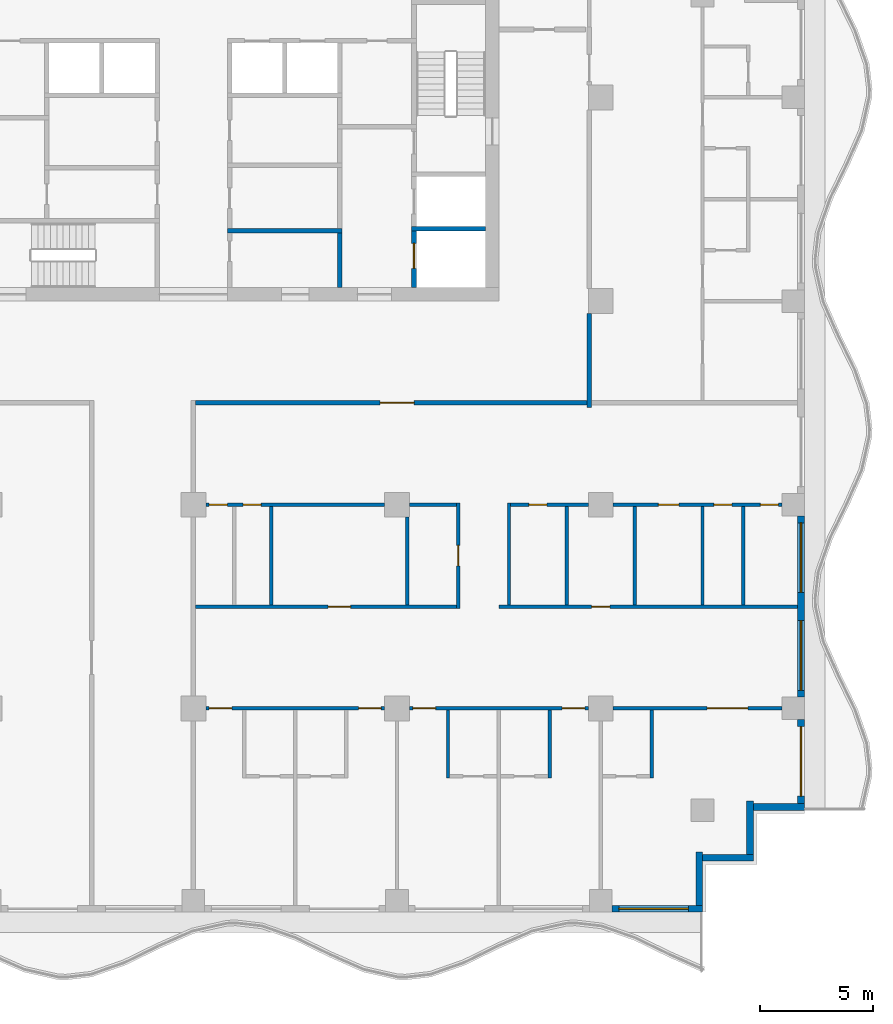
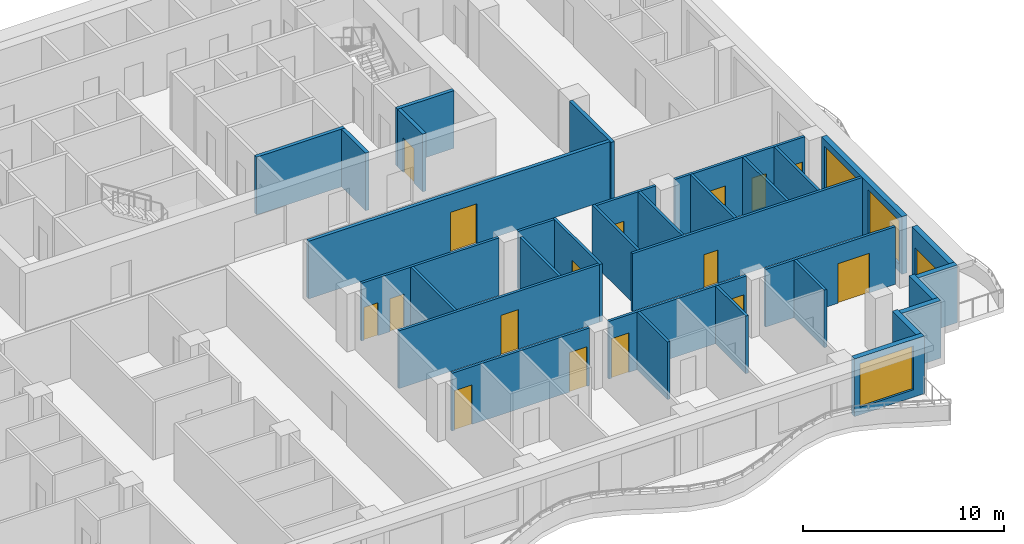
# One storey, part 4 of 12: 33 walls, 17 doors, 3 windows, 20 openings.
"""IFC4 building model written with IfcOpenShell, lengths in metres."""

from ifc_helpers import new_model, si_unit, direction, frame, frame_2d, origin, place, context, subcontext, project, spatial, rectangle, extrude, material, layer, layer_set, type_object, element, fill, save


model = new_model("IFC4")

# Units and contexts
model_context = context("Model", 3, precision=1e-05, world=origin(), true_north=direction((0.0, 1.0)))
body_context = subcontext(model_context, "Body", "Model", "MODEL_VIEW")
ifc_project = project(units=[si_unit("LENGTHUNIT", "METRE"), si_unit("AREAUNIT", "SQUARE_METRE"), si_unit("VOLUMEUNIT", "CUBIC_METRE"), si_unit("PLANEANGLEUNIT", "RADIAN"), si_unit("MASSUNIT", "GRAM", prefix="KILO")], contexts=[model_context])

# Site, building, storey
site_placement = place(None, origin())
site = spatial("IfcSite", under=ifc_project, at=site_placement, CompositionType="ELEMENT")
building_placement = place(site_placement, origin())
building = spatial("IfcBuilding", under=site, at=building_placement, Name="Orbiselva Terraces", CompositionType="ELEMENT")
storey_placement = place(building_placement, frame((0.0, 0.0, 214.8)))
storey = spatial("IfcBuildingStorey", under=building, at=storey_placement, Name="L54", CompositionType="ELEMENT", Elevation=214.8)

# Walls
ifc_material_1 = material(Name="Concrete C60/75", Category="concrete")
ifc_layer_1 = layer(ifc_material_1, 0.2)
ifc_layer_set_1 = layer_set([ifc_layer_1], Name="Concrete C60/75")
wall_type_1 = type_object("IfcWallType", Name="CORE-WALL-SHEAR-200", PredefinedType="SHEAR", material=ifc_layer_set_1)
wall_1_placement = place(storey_placement, frame((1.5, 7.6, 0.0), z_axis=(0.0, 0.0, 1.0), x_axis=(1.0, 0.0, 0.0)))
element("IfcWall", 1, at=wall_1_placement, inside=storey, type_object=wall_type_1, Name="L54 core wall 28", PredefinedType="SHEAR", context=body_context, shape_type="SweptSolid", body=[
    extrude(rectangle(XDim=5.075, YDim=0.2, at=frame_2d((2.5375, 0.0))), origin(), (0.0, 0.0, 1.0), 3.5),
])
wall_2_placement = place(storey_placement, frame((6.475, 5.1, 0.0), z_axis=(0.0, 0.0, 1.0), x_axis=(0.0, 1.0, 0.0)))
element("IfcWall", 2, at=wall_2_placement, inside=storey, type_object=wall_type_1, Name="L54 core wall 38", PredefinedType="SHEAR", context=body_context, shape_type="SweptSolid", body=[
    extrude(rectangle(XDim=2.4, YDim=0.2, at=frame_2d((1.2, 0.0))), origin(), (0.0, 0.0, 1.0), 3.5),
])

# Wall, opening, door
wall_3_placement = place(storey_placement, frame((9.75, 5.1, 0.0), z_axis=(0.0, 0.0, 1.0), x_axis=(0.0, 1.0, 0.0)))
wall_3 = element("IfcWall", 3, at=wall_3_placement, inside=storey, type_object=wall_type_1, Name="L54 core wall 45", PredefinedType="SHEAR", context=body_context, shape_type="SweptSolid", body=[
    extrude(rectangle(XDim=2.5, YDim=0.2, at=frame_2d((1.25, 0.0))), origin(), (0.0, 0.0, 1.0), 3.5),
])
opening_1_placement = place(wall_3_placement, frame((0.85, 0.0, 0.0)))
opening_1 = element("IfcOpeningElement", 4, at=opening_1_placement, cuts=wall_3, Name="Opening LD-FF1", PredefinedType="OPENING", context=body_context, shape_type="SweptSolid", body=[
    extrude(rectangle(XDim=1.1, YDim=2.1, at=frame_2d((0.55, 1.05))), frame((0.0, 0.11, 0.0), z_axis=(0.0, -1.0, 0.0), x_axis=(1.0, 0.0, 0.0)), (0.0, 0.0, 1.0), 0.22),
])
ifc_material_2 = material(Name="Stainless steel landing door", Category="steel")
door_type_1 = type_object("IfcDoorType", Name="LANDING DOOR 1100", OperationType="SLIDING_TO_LEFT", PredefinedType="DOOR", material=ifc_material_2)
door_1_placement = place(opening_1_placement, origin())
door_1 = element("IfcDoor", 5, at=door_1_placement, inside=storey, type_object=door_type_1, Name="L54 landing door FF1", OperationType="SLIDING_TO_RIGHT", OverallHeight=2.1, OverallWidth=1.1, PredefinedType="DOOR", context=body_context, shape_type="SweptSolid", body=[
    extrude(rectangle(XDim=1.1, YDim=2.1, at=frame_2d((0.55, 1.05))), frame((0.0, 0.025, 0.0), z_axis=(0.0, -1.0, 0.0), x_axis=(1.0, 0.0, 0.0)), (0.0, 0.0, 1.0), 0.05),
])
fill(opening_1, door_1)

# Wall
wall_4_placement = place(storey_placement, frame((9.65, 7.7, 0.0), z_axis=(0.0, 0.0, 1.0), x_axis=(1.0, 0.0, 0.0)))
element("IfcWall", 6, at=wall_4_placement, inside=storey, type_object=wall_type_1, Name="L54 core wall 46", PredefinedType="SHEAR", context=body_context, shape_type="SweptSolid", body=[
    extrude(rectangle(XDim=3.25, YDim=0.2, at=frame_2d((1.625, 0.0))), origin(), (0.0, 0.0, 1.0), 3.5),
])

# Wall, opening, window
ifc_material_3 = material(Name="Terracotta cladding on masonry backing", Category="masonry")
ifc_layer_2 = layer(ifc_material_3, 0.3)
ifc_layer_set_2 = layer_set([ifc_layer_2], Name="Terracotta cladding on masonry backing")
wall_type_2 = type_object("IfcWallType", Name="ENV-WALL-TERRACOTTA-300", PredefinedType="SOLIDWALL", material=ifc_layer_set_2)
wall_5_placement = place(storey_placement, frame((22.5, -22.35, 0.0), z_axis=(0.0, 0.0, 1.0), x_axis=(-1.0, 0.0, 0.0)))
wall_5 = element("IfcWall", 7, at=wall_5_placement, inside=storey, type_object=wall_type_2, Name="Facade wall L54 S", PredefinedType="SOLIDWALL", context=body_context, shape_type="SweptSolid", body=[
    extrude(rectangle(XDim=4.0, YDim=0.3, at=frame_2d((2.0, 0.0))), origin(), (0.0, 0.0, 1.0), 3.5),
])
opening_2_placement = place(wall_5_placement, frame((0.625, 0.0, 0.45)))
opening_2 = element("IfcOpeningElement", 8, at=opening_2_placement, cuts=wall_5, Name="Opening WN15", PredefinedType="OPENING", context=body_context, shape_type="SweptSolid", body=[
    extrude(rectangle(XDim=3.075, YDim=2.65, at=frame_2d((1.5375, 1.325))), frame((0.0, 0.16, 0.0), z_axis=(0.0, -1.0, 0.0), x_axis=(1.0, 0.0, 0.0)), (0.0, 0.0, 1.0), 0.32),
])
ifc_material_4 = material(Name="Clear low-e glazing in aluminium frame", Category="aluminium")
window_type = type_object("IfcWindowType", Name="WINDOW 3075 X 2650 S450", PartitioningType="TRIPLE_PANEL_VERTICAL", PredefinedType="WINDOW", material=ifc_material_4)
window_1_placement = place(opening_2_placement, origin())
window_1 = element("IfcWindow", 9, at=window_1_placement, inside=storey, type_object=window_type, Name="Window L54 S", OverallHeight=2.65, OverallWidth=3.075, PartitioningType="SINGLE_PANEL", PredefinedType="WINDOW", context=body_context, shape_type="SweptSolid", body=[
    extrude(rectangle(XDim=3.075, YDim=2.65, at=frame_2d((1.5375, 1.325))), frame((0.0, 0.03, 0.0), z_axis=(0.0, -1.0, 0.0), x_axis=(1.0, 0.0, 0.0)), (0.0, 0.0, 1.0), 0.06),
])
fill(opening_2, window_1)

# Walls
wall_6_placement = place(storey_placement, frame((22.35, -19.85, 0.0), z_axis=(0.0, 0.0, 1.0), x_axis=(0.0, -1.0, 0.0)))
element("IfcWall", 10, at=wall_6_placement, inside=storey, type_object=wall_type_2, Name="Facade wall L54 STEP", PredefinedType="SOLIDWALL", context=body_context, shape_type="SweptSolid", body=[
    extrude(rectangle(XDim=2.35, YDim=0.3, at=frame_2d((1.175, 0.0))), origin(), (0.0, 0.0, 1.0), 3.5),
])
wall_7_placement = place(storey_placement, frame((24.75, -20.1, 0.0), z_axis=(0.0, 0.0, 1.0), x_axis=(-1.0, 0.0, 0.0)))
element("IfcWall", 11, at=wall_7_placement, inside=storey, type_object=wall_type_2, Name="Facade wall L54 STEP", PredefinedType="SOLIDWALL", context=body_context, shape_type="SweptSolid", body=[
    extrude(rectangle(XDim=2.25, YDim=0.3, at=frame_2d((1.125, 0.0))), origin(), (0.0, 0.0, 1.0), 3.5),
])
wall_8_placement = place(storey_placement, frame((24.6, -17.6, 0.0), z_axis=(0.0, 0.0, 1.0), x_axis=(0.0, -1.0, 0.0)))
element("IfcWall", 12, at=wall_8_placement, inside=storey, type_object=wall_type_2, Name="Facade wall L54 STEP", PredefinedType="SOLIDWALL", context=body_context, shape_type="SweptSolid", body=[
    extrude(rectangle(XDim=2.35, YDim=0.3, at=frame_2d((1.175, 0.0))), origin(), (0.0, 0.0, 1.0), 3.5),
])
wall_9_placement = place(storey_placement, frame((27.0, -17.85, 0.0), z_axis=(0.0, 0.0, 1.0), x_axis=(-1.0, 0.0, 0.0)))
element("IfcWall", 13, at=wall_9_placement, inside=storey, type_object=wall_type_2, Name="Facade wall L54 STEP", PredefinedType="SOLIDWALL", context=body_context, shape_type="SweptSolid", body=[
    extrude(rectangle(XDim=2.25, YDim=0.3, at=frame_2d((1.125, 0.0))), origin(), (0.0, 0.0, 1.0), 3.5),
])

# Wall, opening, door
wall_10_placement = place(storey_placement, frame((26.85, -14.0, 0.0), z_axis=(0.0, 0.0, 1.0), x_axis=(0.0, -1.0, 0.0)))
wall_10 = element("IfcWall", 14, at=wall_10_placement, inside=storey, type_object=wall_type_2, Name="Facade wall L54 E", PredefinedType="SOLIDWALL", context=body_context, shape_type="SweptSolid", body=[
    extrude(rectangle(XDim=3.7, YDim=0.3, at=frame_2d((1.85, 0.0))), origin(), (0.0, 0.0, 1.0), 3.5),
])
opening_3_placement = place(wall_10_placement, frame((0.3, 0.0, 0.0)))
opening_3 = element("IfcOpeningElement", 15, at=opening_3_placement, cuts=wall_10, Name="Opening Z4-C-E14", PredefinedType="OPENING", context=body_context, shape_type="SweptSolid", body=[
    extrude(rectangle(XDim=3.075, YDim=2.4, at=frame_2d((1.5375, 1.2))), frame((0.0, 0.16, 0.0), z_axis=(0.0, -1.0, 0.0), x_axis=(1.0, 0.0, 0.0)), (0.0, 0.0, 1.0), 0.32),
])
door_type_2 = type_object("IfcDoorType", Name="BALCONY DOOR 3075 X 2400", OperationType="DOUBLE_DOOR_SLIDING", PredefinedType="DOOR", material=ifc_material_4)
door_2_placement = place(opening_3_placement, origin())
door_2 = element("IfcDoor", 16, at=door_2_placement, inside=storey, type_object=door_type_2, Name="Z4-C-E14", OperationType="SINGLE_SWING_LEFT", OverallHeight=2.4, OverallWidth=3.075, PredefinedType="DOOR", context=body_context, shape_type="SweptSolid", body=[
    extrude(rectangle(XDim=3.075, YDim=2.4, at=frame_2d((1.5375, 1.2))), frame((0.0, 0.025, 0.0), z_axis=(0.0, -1.0, 0.0), x_axis=(1.0, 0.0, 0.0)), (0.0, 0.0, 1.0), 0.05),
])
fill(opening_3, door_2)

# Wall, openings, windows
wall_11_placement = place(storey_placement, frame((26.85, -5.0, 0.0), z_axis=(0.0, 0.0, 1.0), x_axis=(0.0, -1.0, 0.0)))
wall_11 = element("IfcWall", 17, at=wall_11_placement, inside=storey, type_object=wall_type_2, Name="Facade wall L54 E", PredefinedType="SOLIDWALL", context=body_context, shape_type="SweptSolid", body=[
    extrude(rectangle(XDim=8.0, YDim=0.3, at=frame_2d((4.0, 0.0))), origin(), (0.0, 0.0, 1.0), 3.5),
])
opening_4_placement = place(wall_11_placement, frame((4.625, 0.0, 0.45)))
opening_4 = element("IfcOpeningElement", 18, at=opening_4_placement, cuts=wall_11, Name="Opening WN15", PredefinedType="OPENING", context=body_context, shape_type="SweptSolid", body=[
    extrude(rectangle(XDim=3.075, YDim=2.65, at=frame_2d((1.5375, 1.325))), frame((0.0, 0.16, 0.0), z_axis=(0.0, -1.0, 0.0), x_axis=(1.0, 0.0, 0.0)), (0.0, 0.0, 1.0), 0.32),
])
opening_5_placement = place(wall_11_placement, frame((0.3, 0.0, 0.45)))
opening_5 = element("IfcOpeningElement", 19, at=opening_5_placement, cuts=wall_11, Name="Opening WN15", PredefinedType="OPENING", context=body_context, shape_type="SweptSolid", body=[
    extrude(rectangle(XDim=3.075, YDim=2.65, at=frame_2d((1.5375, 1.325))), frame((0.0, 0.16, 0.0), z_axis=(0.0, -1.0, 0.0), x_axis=(1.0, 0.0, 0.0)), (0.0, 0.0, 1.0), 0.32),
])
window_2_placement = place(opening_4_placement, origin())
window_2 = element("IfcWindow", 20, at=window_2_placement, inside=storey, type_object=window_type, Name="Window L54 E", OverallHeight=2.65, OverallWidth=3.075, PartitioningType="SINGLE_PANEL", PredefinedType="WINDOW", context=body_context, shape_type="SweptSolid", body=[
    extrude(rectangle(XDim=3.075, YDim=2.65, at=frame_2d((1.5375, 1.325))), frame((0.0, 0.03, 0.0), z_axis=(0.0, -1.0, 0.0), x_axis=(1.0, 0.0, 0.0)), (0.0, 0.0, 1.0), 0.06),
])
fill(opening_4, window_2)
window_3_placement = place(opening_5_placement, origin())
window_3 = element("IfcWindow", 21, at=window_3_placement, inside=storey, type_object=window_type, Name="Window L54 E", OverallHeight=2.65, OverallWidth=3.075, PartitioningType="SINGLE_PANEL", PredefinedType="WINDOW", context=body_context, shape_type="SweptSolid", body=[
    extrude(rectangle(XDim=3.075, YDim=2.65, at=frame_2d((1.5375, 1.325))), frame((0.0, 0.03, 0.0), z_axis=(0.0, -1.0, 0.0), x_axis=(1.0, 0.0, 0.0)), (0.0, 0.0, 1.0), 0.06),
])
fill(opening_5, window_3)

# Wall, opening, door
ifc_material_5 = material(Name="Plasterboard on steel stud partition", Category="steel")
ifc_layer_3 = layer(ifc_material_5, 0.2)
ifc_layer_set_3 = layer_set([ifc_layer_3], Name="Plasterboard on steel stud partition")
wall_type_3 = type_object("IfcWallType", Name="UNIT-ENTRANCE-WALL-200", PredefinedType="PARTITIONING", material=ifc_layer_set_3)
wall_12_placement = place(storey_placement, frame((17.4, 0.0, 0.0), z_axis=(0.0, 0.0, 1.0), x_axis=(-1.0, 0.0, 0.0)))
wall_12 = element("IfcWall", 22, at=wall_12_placement, inside=storey, type_object=wall_type_3, Name="PARTITION L54-031", PredefinedType="PARTITIONING", context=body_context, shape_type="SweptSolid", body=[
    extrude(rectangle(XDim=17.3, YDim=0.2, at=frame_2d((8.65, 0.0))), origin(), (0.0, 0.0, 1.0), 3.5),
])
opening_6_placement = place(wall_12_placement, frame((7.65, 0.0, 0.0)))
opening_6 = element("IfcOpeningElement", 23, at=opening_6_placement, cuts=wall_12, Name="Opening Z4-C-34", PredefinedType="OPENING", context=body_context, shape_type="SweptSolid", body=[
    extrude(rectangle(XDim=1.5, YDim=2.4, at=frame_2d((0.75, 1.2))), frame((0.0, 0.11, 0.0), z_axis=(0.0, -1.0, 0.0), x_axis=(1.0, 0.0, 0.0)), (0.0, 0.0, 1.0), 0.22),
])
ifc_material_6 = material(Name="Painted timber door leaf", Category="wood")
door_type_3 = type_object("IfcDoorType", Name="ENTRANCE DOUBLE DOOR 1500", OperationType="NOTDEFINED", PredefinedType="DOOR", material=ifc_material_6)
door_3_placement = place(opening_6_placement, origin())
door_3 = element("IfcDoor", 24, at=door_3_placement, inside=storey, type_object=door_type_3, Name="Z4-C-34", OperationType="DOUBLE_DOOR_SINGLE_SWING", OverallHeight=2.4, OverallWidth=1.5, PredefinedType="DOOR", context=body_context, shape_type="SweptSolid", body=[
    extrude(rectangle(XDim=1.5, YDim=2.4, at=frame_2d((0.75, 1.2))), frame((0.0, 0.025, 0.0), z_axis=(0.0, -1.0, 0.0), x_axis=(1.0, 0.0, 0.0)), (0.0, 0.0, 1.0), 0.05),
])
fill(opening_6, door_3)

# Wall
wall_13_placement = place(storey_placement, frame((17.5, -0.2, 0.0), z_axis=(0.0, 0.0, 1.0), x_axis=(0.0, 1.0, 0.0)))
element("IfcWall", 25, at=wall_13_placement, inside=storey, type_object=wall_type_3, Name="PARTITION L54-085", PredefinedType="PARTITIONING", context=body_context, shape_type="SweptSolid", body=[
    extrude(rectangle(XDim=4.15, YDim=0.2, at=frame_2d((2.075, 0.0))), origin(), (0.0, 0.0, 1.0), 3.5),
])

# Wall, openings, doors
ifc_layer_4 = layer(ifc_material_5, 0.15)
ifc_layer_set_4 = layer_set([ifc_layer_4], Name="Plasterboard on steel stud partition")
wall_type_4 = type_object("IfcWallType", Name="UNIT-PARTITION-150", PredefinedType="PARTITIONING", material=ifc_layer_set_4)
wall_14_placement = place(storey_placement, frame((8.45, -13.5, 0.0), z_axis=(0.0, 0.0, 1.0), x_axis=(-1.0, 0.0, 0.0)))
wall_14 = element("IfcWall", 26, at=wall_14_placement, inside=storey, type_object=wall_type_4, Name="PARTITION L54-012", PredefinedType="PARTITIONING", context=body_context, shape_type="SweptSolid", body=[
    extrude(rectangle(XDim=7.9, YDim=0.15, at=frame_2d((3.95, 0.0))), origin(), (0.0, 0.0, 1.0), 3.5),
])
opening_7_placement = place(wall_14_placement, frame((6.75, 0.0, 0.0)))
opening_7 = element("IfcOpeningElement", 27, at=opening_7_placement, cuts=wall_14, Name="Opening Z4-C-44", PredefinedType="OPENING", context=body_context, shape_type="SweptSolid", body=[
    extrude(rectangle(XDim=1.0, YDim=2.4, at=frame_2d((0.5, 1.2))), frame((0.0, 0.085, 0.0), z_axis=(0.0, -1.0, 0.0), x_axis=(1.0, 0.0, 0.0)), (0.0, 0.0, 1.0), 0.17),
])
opening_8_placement = place(wall_14_placement, frame((0.15, 0.0, 0.0)))
opening_8 = element("IfcOpeningElement", 28, at=opening_8_placement, cuts=wall_14, Name="Opening Z4-C-46", PredefinedType="OPENING", context=body_context, shape_type="SweptSolid", body=[
    extrude(rectangle(XDim=1.0, YDim=2.4, at=frame_2d((0.5, 1.2))), frame((0.0, 0.085, 0.0), z_axis=(0.0, -1.0, 0.0), x_axis=(1.0, 0.0, 0.0)), (0.0, 0.0, 1.0), 0.17),
])
door_type_4 = type_object("IfcDoorType", Name="ROOM DOOR 1000", OperationType="NOTDEFINED", PredefinedType="DOOR", material=ifc_material_6)
door_4_placement = place(opening_7_placement, origin())
door_4 = element("IfcDoor", 29, at=door_4_placement, inside=storey, type_object=door_type_4, Name="Z4-C-44", OperationType="SINGLE_SWING_RIGHT", OverallHeight=2.4, OverallWidth=1.0, PredefinedType="DOOR", context=body_context, shape_type="SweptSolid", body=[
    extrude(rectangle(XDim=1.0, YDim=2.4, at=frame_2d((0.5, 1.2))), frame((0.0, 0.025, 0.0), z_axis=(0.0, -1.0, 0.0), x_axis=(1.0, 0.0, 0.0)), (0.0, 0.0, 1.0), 0.05),
])
fill(opening_7, door_4)
door_5_placement = place(opening_8_placement, origin())
door_5 = element("IfcDoor", 30, at=door_5_placement, inside=storey, type_object=door_type_4, Name="Z4-C-46", OperationType="SINGLE_SWING_LEFT", OverallHeight=2.4, OverallWidth=1.0, PredefinedType="DOOR", context=body_context, shape_type="SweptSolid", body=[
    extrude(rectangle(XDim=1.0, YDim=2.4, at=frame_2d((0.5, 1.2))), frame((0.0, 0.025, 0.0), z_axis=(0.0, -1.0, 0.0), x_axis=(1.0, 0.0, 0.0)), (0.0, 0.0, 1.0), 0.05),
])
fill(opening_8, door_5)

wall_15_placement = place(storey_placement, frame((17.45, -13.5, 0.0), z_axis=(0.0, 0.0, 1.0), x_axis=(-1.0, 0.0, 0.0)))
wall_15 = element("IfcWall", 31, at=wall_15_placement, inside=storey, type_object=wall_type_4, Name="PARTITION L54-013", PredefinedType="PARTITIONING", context=body_context, shape_type="SweptSolid", body=[
    extrude(rectangle(XDim=7.9, YDim=0.15, at=frame_2d((3.95, 0.0))), origin(), (0.0, 0.0, 1.0), 3.5),
])
opening_9_placement = place(wall_15_placement, frame((6.75, 0.0, 0.0)))
opening_9 = element("IfcOpeningElement", 32, at=opening_9_placement, cuts=wall_15, Name="Opening Z4-C-48", PredefinedType="OPENING", context=body_context, shape_type="SweptSolid", body=[
    extrude(rectangle(XDim=1.0, YDim=2.4, at=frame_2d((0.5, 1.2))), frame((0.0, 0.085, 0.0), z_axis=(0.0, -1.0, 0.0), x_axis=(1.0, 0.0, 0.0)), (0.0, 0.0, 1.0), 0.17),
])
opening_10_placement = place(wall_15_placement, frame((0.15, 0.0, 0.0)))
opening_10 = element("IfcOpeningElement", 33, at=opening_10_placement, cuts=wall_15, Name="Opening Z4-C-50", PredefinedType="OPENING", context=body_context, shape_type="SweptSolid", body=[
    extrude(rectangle(XDim=1.0, YDim=2.4, at=frame_2d((0.5, 1.2))), frame((0.0, 0.085, 0.0), z_axis=(0.0, -1.0, 0.0), x_axis=(1.0, 0.0, 0.0)), (0.0, 0.0, 1.0), 0.17),
])
door_6_placement = place(opening_9_placement, origin())
door_6 = element("IfcDoor", 34, at=door_6_placement, inside=storey, type_object=door_type_4, Name="Z4-C-48", OperationType="SINGLE_SWING_RIGHT", OverallHeight=2.4, OverallWidth=1.0, PredefinedType="DOOR", context=body_context, shape_type="SweptSolid", body=[
    extrude(rectangle(XDim=1.0, YDim=2.4, at=frame_2d((0.5, 1.2))), frame((0.0, 0.025, 0.0), z_axis=(0.0, -1.0, 0.0), x_axis=(1.0, 0.0, 0.0)), (0.0, 0.0, 1.0), 0.05),
])
fill(opening_9, door_6)
door_7_placement = place(opening_10_placement, origin())
door_7 = element("IfcDoor", 35, at=door_7_placement, inside=storey, type_object=door_type_4, Name="Z4-C-50", OperationType="SINGLE_SWING_LEFT", OverallHeight=2.4, OverallWidth=1.0, PredefinedType="DOOR", context=body_context, shape_type="SweptSolid", body=[
    extrude(rectangle(XDim=1.0, YDim=2.4, at=frame_2d((0.5, 1.2))), frame((0.0, 0.025, 0.0), z_axis=(0.0, -1.0, 0.0), x_axis=(1.0, 0.0, 0.0)), (0.0, 0.0, 1.0), 0.05),
])
fill(opening_10, door_7)

# Wall, opening, door
wall_16_placement = place(storey_placement, frame((26.0, -13.5, 0.0), z_axis=(0.0, 0.0, 1.0), x_axis=(-1.0, 0.0, 0.0)))
wall_16 = element("IfcWall", 36, at=wall_16_placement, inside=storey, type_object=wall_type_4, Name="PARTITION L54-014", PredefinedType="PARTITIONING", context=body_context, shape_type="SweptSolid", body=[
    extrude(rectangle(XDim=7.45, YDim=0.15, at=frame_2d((3.725, 0.0))), origin(), (0.0, 0.0, 1.0), 3.5),
])
opening_11_placement = place(wall_16_placement, frame((1.5, 0.0, 0.0)))
opening_11 = element("IfcOpeningElement", 37, at=opening_11_placement, cuts=wall_16, Name="Opening Z4-C-52", PredefinedType="OPENING", context=body_context, shape_type="SweptSolid", body=[
    extrude(rectangle(XDim=1.8, YDim=2.4, at=frame_2d((0.9, 1.2))), frame((0.0, 0.085, 0.0), z_axis=(0.0, -1.0, 0.0), x_axis=(1.0, 0.0, 0.0)), (0.0, 0.0, 1.0), 0.17),
])
door_type_5 = type_object("IfcDoorType", Name="DOUBLE DOOR 1800", OperationType="NOTDEFINED", PredefinedType="DOOR", material=ifc_material_6)
door_8_placement = place(opening_11_placement, origin())
door_8 = element("IfcDoor", 38, at=door_8_placement, inside=storey, type_object=door_type_5, Name="Z4-C-52", OperationType="DOUBLE_DOOR_SINGLE_SWING", OverallHeight=2.4, OverallWidth=1.8, PredefinedType="DOOR", context=body_context, shape_type="SweptSolid", body=[
    extrude(rectangle(XDim=1.8, YDim=2.4, at=frame_2d((0.9, 1.2))), frame((0.0, 0.025, 0.0), z_axis=(0.0, -1.0, 0.0), x_axis=(1.0, 0.0, 0.0)), (0.0, 0.0, 1.0), 0.05),
])
fill(opening_11, door_8)

wall_17_placement = place(storey_placement, frame((0.1, -9.0, 0.0), z_axis=(0.0, 0.0, 1.0), x_axis=(1.0, 0.0, 0.0)))
wall_17 = element("IfcWall", 39, at=wall_17_placement, inside=storey, type_object=wall_type_4, Name="PARTITION L54-019", PredefinedType="PARTITIONING", context=body_context, shape_type="SweptSolid", body=[
    extrude(rectangle(XDim=11.525, YDim=0.15, at=frame_2d((5.7625, 0.0))), origin(), (0.0, 0.0, 1.0), 3.5),
])
opening_12_placement = place(wall_17_placement, frame((5.85, 0.0, 0.0)))
opening_12 = element("IfcOpeningElement", 40, at=opening_12_placement, cuts=wall_17, Name="Opening Z4-C-37", PredefinedType="OPENING", context=body_context, shape_type="SweptSolid", body=[
    extrude(rectangle(XDim=1.0, YDim=2.4, at=frame_2d((0.5, 1.2))), frame((0.0, 0.085, 0.0), z_axis=(0.0, -1.0, 0.0), x_axis=(1.0, 0.0, 0.0)), (0.0, 0.0, 1.0), 0.17),
])
door_9_placement = place(opening_12_placement, origin())
door_9 = element("IfcDoor", 41, at=door_9_placement, inside=storey, type_object=door_type_4, Name="Z4-C-37", OperationType="SINGLE_SWING_RIGHT", OverallHeight=2.4, OverallWidth=1.0, PredefinedType="DOOR", context=body_context, shape_type="SweptSolid", body=[
    extrude(rectangle(XDim=1.0, YDim=2.4, at=frame_2d((0.5, 1.2))), frame((0.0, 0.025, 0.0), z_axis=(0.0, -1.0, 0.0), x_axis=(1.0, 0.0, 0.0)), (0.0, 0.0, 1.0), 0.05),
])
fill(opening_12, door_9)

wall_18_placement = place(storey_placement, frame((13.5, -9.0, 0.0), z_axis=(0.0, 0.0, 1.0), x_axis=(1.0, 0.0, 0.0)))
wall_18 = element("IfcWall", 42, at=wall_18_placement, inside=storey, type_object=wall_type_4, Name="PARTITION L54-020", PredefinedType="PARTITIONING", context=body_context, shape_type="SweptSolid", body=[
    extrude(rectangle(XDim=13.2, YDim=0.15, at=frame_2d((6.6, 0.0))), origin(), (0.0, 0.0, 1.0), 3.5),
])
opening_13_placement = place(wall_18_placement, frame((4.1, 0.0, 0.0)))
opening_13 = element("IfcOpeningElement", 43, at=opening_13_placement, cuts=wall_18, Name="Opening Z4-C-40", PredefinedType="OPENING", context=body_context, shape_type="SweptSolid", body=[
    extrude(rectangle(XDim=0.8, YDim=2.0, at=frame_2d((0.4, 1.0))), frame((0.0, 0.085, 0.0), z_axis=(0.0, -1.0, 0.0), x_axis=(1.0, 0.0, 0.0)), (0.0, 0.0, 1.0), 0.17),
])
door_type_6 = type_object("IfcDoorType", Name="STORE DOOR 800", OperationType="NOTDEFINED", PredefinedType="DOOR", material=ifc_material_6)
door_10_placement = place(opening_13_placement, origin())
door_10 = element("IfcDoor", 44, at=door_10_placement, inside=storey, type_object=door_type_6, Name="Z4-C-40", OperationType="SINGLE_SWING_LEFT", OverallHeight=2.0, OverallWidth=0.8, PredefinedType="DOOR", context=body_context, shape_type="SweptSolid", body=[
    extrude(rectangle(XDim=0.8, YDim=2.0, at=frame_2d((0.4, 1.0))), frame((0.0, 0.025, 0.0), z_axis=(0.0, -1.0, 0.0), x_axis=(1.0, 0.0, 0.0)), (0.0, 0.0, 1.0), 0.05),
])
fill(opening_13, door_10)

# Wall, openings, doors
wall_19_placement = place(storey_placement, frame((8.45, -4.5, 0.0), z_axis=(0.0, 0.0, 1.0), x_axis=(-1.0, 0.0, 0.0)))
wall_19 = element("IfcWall", 45, at=wall_19_placement, inside=storey, type_object=wall_type_4, Name="PARTITION L54-025", PredefinedType="PARTITIONING", context=body_context, shape_type="SweptSolid", body=[
    extrude(rectangle(XDim=7.9, YDim=0.15, at=frame_2d((3.95, 0.0))), origin(), (0.0, 0.0, 1.0), 3.5),
])
opening_14_placement = place(wall_19_placement, frame((6.95, 0.0, 0.0)))
opening_14 = element("IfcOpeningElement", 46, at=opening_14_placement, cuts=wall_19, Name="Opening Z4-C-35", PredefinedType="OPENING", context=body_context, shape_type="SweptSolid", body=[
    extrude(rectangle(XDim=0.8, YDim=2.0, at=frame_2d((0.4, 1.0))), frame((0.0, 0.085, 0.0), z_axis=(0.0, -1.0, 0.0), x_axis=(1.0, 0.0, 0.0)), (0.0, 0.0, 1.0), 0.17),
])
opening_15_placement = place(wall_19_placement, frame((5.45, 0.0, 0.0)))
opening_15 = element("IfcOpeningElement", 47, at=opening_15_placement, cuts=wall_19, Name="Opening Z4-C-36", PredefinedType="OPENING", context=body_context, shape_type="SweptSolid", body=[
    extrude(rectangle(XDim=0.8, YDim=2.0, at=frame_2d((0.4, 1.0))), frame((0.0, 0.085, 0.0), z_axis=(0.0, -1.0, 0.0), x_axis=(1.0, 0.0, 0.0)), (0.0, 0.0, 1.0), 0.17),
])
door_11_placement = place(opening_14_placement, origin())
door_11 = element("IfcDoor", 48, at=door_11_placement, inside=storey, type_object=door_type_6, Name="Z4-C-35", OperationType="SINGLE_SWING_RIGHT", OverallHeight=2.0, OverallWidth=0.8, PredefinedType="DOOR", context=body_context, shape_type="SweptSolid", body=[
    extrude(rectangle(XDim=0.8, YDim=2.0, at=frame_2d((0.4, 1.0))), frame((0.0, 0.025, 0.0), z_axis=(0.0, -1.0, 0.0), x_axis=(1.0, 0.0, 0.0)), (0.0, 0.0, 1.0), 0.05),
])
fill(opening_14, door_11)
door_12_placement = place(opening_15_placement, origin())
door_12 = element("IfcDoor", 49, at=door_12_placement, inside=storey, type_object=door_type_6, Name="Z4-C-36", OperationType="SINGLE_SWING_RIGHT", OverallHeight=2.0, OverallWidth=0.8, PredefinedType="DOOR", context=body_context, shape_type="SweptSolid", body=[
    extrude(rectangle(XDim=0.8, YDim=2.0, at=frame_2d((0.4, 1.0))), frame((0.0, 0.025, 0.0), z_axis=(0.0, -1.0, 0.0), x_axis=(1.0, 0.0, 0.0)), (0.0, 0.0, 1.0), 0.05),
])
fill(opening_15, door_12)

# Wall
wall_20_placement = place(storey_placement, frame((9.55, -4.5, 0.0), z_axis=(0.0, 0.0, 1.0), x_axis=(1.0, 0.0, 0.0)))
element("IfcWall", 50, at=wall_20_placement, inside=storey, type_object=wall_type_4, Name="PARTITION L54-026", PredefinedType="PARTITIONING", context=body_context, shape_type="SweptSolid", body=[
    extrude(rectangle(XDim=2.075, YDim=0.15, at=frame_2d((1.0375, 0.0))), origin(), (0.0, 0.0, 1.0), 3.5),
])

# Wall, opening, door
wall_21_placement = place(storey_placement, frame((17.45, -4.5, 0.0), z_axis=(0.0, 0.0, 1.0), x_axis=(-1.0, 0.0, 0.0)))
wall_21 = element("IfcWall", 51, at=wall_21_placement, inside=storey, type_object=wall_type_4, Name="PARTITION L54-027", PredefinedType="PARTITIONING", context=body_context, shape_type="SweptSolid", body=[
    extrude(rectangle(XDim=3.425, YDim=0.15, at=frame_2d((1.7125, 0.0))), origin(), (0.0, 0.0, 1.0), 3.5),
])
opening_16_placement = place(wall_21_placement, frame((1.825, 0.0, 0.0)))
opening_16 = element("IfcOpeningElement", 52, at=opening_16_placement, cuts=wall_21, Name="Opening Z4-C-39", PredefinedType="OPENING", context=body_context, shape_type="SweptSolid", body=[
    extrude(rectangle(XDim=0.8, YDim=2.0, at=frame_2d((0.4, 1.0))), frame((0.0, 0.085, 0.0), z_axis=(0.0, -1.0, 0.0), x_axis=(1.0, 0.0, 0.0)), (0.0, 0.0, 1.0), 0.17),
])
door_13_placement = place(opening_16_placement, origin())
door_13 = element("IfcDoor", 53, at=door_13_placement, inside=storey, type_object=door_type_6, Name="Z4-C-39", OperationType="SINGLE_SWING_RIGHT", OverallHeight=2.0, OverallWidth=0.8, PredefinedType="DOOR", context=body_context, shape_type="SweptSolid", body=[
    extrude(rectangle(XDim=0.8, YDim=2.0, at=frame_2d((0.4, 1.0))), frame((0.0, 0.025, 0.0), z_axis=(0.0, -1.0, 0.0), x_axis=(1.0, 0.0, 0.0)), (0.0, 0.0, 1.0), 0.05),
])
fill(opening_16, door_13)

# Wall, openings, doors
wall_22_placement = place(storey_placement, frame((26.0, -4.5, 0.0), z_axis=(0.0, 0.0, 1.0), x_axis=(-1.0, 0.0, 0.0)))
wall_22 = element("IfcWall", 54, at=wall_22_placement, inside=storey, type_object=wall_type_4, Name="PARTITION L54-028", PredefinedType="PARTITIONING", context=body_context, shape_type="SweptSolid", body=[
    extrude(rectangle(XDim=7.45, YDim=0.15, at=frame_2d((3.725, 0.0))), origin(), (0.0, 0.0, 1.0), 3.5),
])
opening_17_placement = place(wall_22_placement, frame((4.55, 0.0, 0.0)))
opening_17 = element("IfcOpeningElement", 55, at=opening_17_placement, cuts=wall_22, Name="Opening Z4-C-41", PredefinedType="OPENING", context=body_context, shape_type="SweptSolid", body=[
    extrude(rectangle(XDim=0.9, YDim=2.1, at=frame_2d((0.45, 1.05))), frame((0.0, 0.085, 0.0), z_axis=(0.0, -1.0, 0.0), x_axis=(1.0, 0.0, 0.0)), (0.0, 0.0, 1.0), 0.17),
])
opening_18_placement = place(wall_22_placement, frame((2.2, 0.0, 0.0)))
opening_18 = element("IfcOpeningElement", 56, at=opening_18_placement, cuts=wall_22, Name="Opening Z4-C-42", PredefinedType="OPENING", context=body_context, shape_type="SweptSolid", body=[
    extrude(rectangle(XDim=0.8, YDim=2.0, at=frame_2d((0.4, 1.0))), frame((0.0, 0.085, 0.0), z_axis=(0.0, -1.0, 0.0), x_axis=(1.0, 0.0, 0.0)), (0.0, 0.0, 1.0), 0.17),
])
opening_19_placement = place(wall_22_placement, frame((0.15, 0.0, 0.0)))
opening_19 = element("IfcOpeningElement", 57, at=opening_19_placement, cuts=wall_22, Name="Opening Z4-C-43", PredefinedType="OPENING", context=body_context, shape_type="SweptSolid", body=[
    extrude(rectangle(XDim=0.8, YDim=2.0, at=frame_2d((0.4, 1.0))), frame((0.0, 0.085, 0.0), z_axis=(0.0, -1.0, 0.0), x_axis=(1.0, 0.0, 0.0)), (0.0, 0.0, 1.0), 0.17),
])
door_type_7 = type_object("IfcDoorType", Name="SERVICE DOOR 900", OperationType="NOTDEFINED", PredefinedType="DOOR", material=ifc_material_6)
door_14_placement = place(opening_17_placement, origin())
door_14 = element("IfcDoor", 58, at=door_14_placement, inside=storey, type_object=door_type_7, Name="Z4-C-41", OperationType="SINGLE_SWING_RIGHT", OverallHeight=2.1, OverallWidth=0.9, PredefinedType="DOOR", context=body_context, shape_type="SweptSolid", body=[
    extrude(rectangle(XDim=0.9, YDim=2.1, at=frame_2d((0.45, 1.05))), frame((0.0, 0.025, 0.0), z_axis=(0.0, -1.0, 0.0), x_axis=(1.0, 0.0, 0.0)), (0.0, 0.0, 1.0), 0.05),
])
fill(opening_17, door_14)
door_15_placement = place(opening_18_placement, origin())
door_15 = element("IfcDoor", 59, at=door_15_placement, inside=storey, type_object=door_type_6, Name="Z4-C-42", OperationType="SINGLE_SWING_LEFT", OverallHeight=2.0, OverallWidth=0.8, PredefinedType="DOOR", context=body_context, shape_type="SweptSolid", body=[
    extrude(rectangle(XDim=0.8, YDim=2.0, at=frame_2d((0.4, 1.0))), frame((0.0, 0.025, 0.0), z_axis=(0.0, -1.0, 0.0), x_axis=(1.0, 0.0, 0.0)), (0.0, 0.0, 1.0), 0.05),
])
fill(opening_18, door_15)
door_16_placement = place(opening_19_placement, origin())
door_16 = element("IfcDoor", 60, at=door_16_placement, inside=storey, type_object=door_type_6, Name="Z4-C-43", OperationType="SINGLE_SWING_LEFT", OverallHeight=2.0, OverallWidth=0.8, PredefinedType="DOOR", context=body_context, shape_type="SweptSolid", body=[
    extrude(rectangle(XDim=0.8, YDim=2.0, at=frame_2d((0.4, 1.0))), frame((0.0, 0.025, 0.0), z_axis=(0.0, -1.0, 0.0), x_axis=(1.0, 0.0, 0.0)), (0.0, 0.0, 1.0), 0.05),
])
fill(opening_19, door_16)

# Walls
wall_23_placement = place(storey_placement, frame((3.45, -8.925, 0.0), z_axis=(0.0, 0.0, 1.0), x_axis=(0.0, 1.0, 0.0)))
element("IfcWall", 61, at=wall_23_placement, inside=storey, type_object=wall_type_4, Name="PARTITION L54-074", PredefinedType="PARTITIONING", context=body_context, shape_type="SweptSolid", body=[
    extrude(rectangle(XDim=4.35, YDim=0.15, at=frame_2d((2.175, 0.0))), origin(), (0.0, 0.0, 1.0), 3.5),
])
wall_24_placement = place(storey_placement, frame((9.45, -8.925, 0.0), z_axis=(0.0, 0.0, 1.0), x_axis=(0.0, 1.0, 0.0)))
element("IfcWall", 62, at=wall_24_placement, inside=storey, type_object=wall_type_4, Name="PARTITION L54-078", PredefinedType="PARTITIONING", context=body_context, shape_type="SweptSolid", body=[
    extrude(rectangle(XDim=3.875, YDim=0.15, at=frame_2d((1.9375, 0.0))), origin(), (0.0, 0.0, 1.0), 3.5),
])
wall_25_placement = place(storey_placement, frame((11.25, -16.575, 0.0), z_axis=(0.0, 0.0, 1.0), x_axis=(0.0, 1.0, 0.0)))
element("IfcWall", 63, at=wall_25_placement, inside=storey, type_object=wall_type_4, Name="PARTITION L54-079", PredefinedType="PARTITIONING", context=body_context, shape_type="SweptSolid", body=[
    extrude(rectangle(XDim=3.0, YDim=0.15, at=frame_2d((1.5, 0.0))), origin(), (0.0, 0.0, 1.0), 3.5),
])

# Wall, opening, door
wall_26_placement = place(storey_placement, frame((11.7, -9.075, 0.0), z_axis=(0.0, 0.0, 1.0), x_axis=(0.0, 1.0, 0.0)))
wall_26 = element("IfcWall", 64, at=wall_26_placement, inside=storey, type_object=wall_type_4, Name="PARTITION L54-080", PredefinedType="PARTITIONING", context=body_context, shape_type="SweptSolid", body=[
    extrude(rectangle(XDim=4.65, YDim=0.15, at=frame_2d((2.325, 0.0))), origin(), (0.0, 0.0, 1.0), 3.5),
])
opening_20_placement = place(wall_26_placement, frame((1.875, 0.0, 0.0)))
opening_20 = element("IfcOpeningElement", 65, at=opening_20_placement, cuts=wall_26, Name="Opening Z4-C-38", PredefinedType="OPENING", context=body_context, shape_type="SweptSolid", body=[
    extrude(rectangle(XDim=0.9, YDim=2.1, at=frame_2d((0.45, 1.05))), frame((0.0, 0.085, 0.0), z_axis=(0.0, -1.0, 0.0), x_axis=(1.0, 0.0, 0.0)), (0.0, 0.0, 1.0), 0.17),
])
door_type_8 = type_object("IfcDoorType", Name="BATH DOOR 900", OperationType="NOTDEFINED", PredefinedType="DOOR", material=ifc_material_6)
door_17_placement = place(opening_20_placement, origin())
door_17 = element("IfcDoor", 66, at=door_17_placement, inside=storey, type_object=door_type_8, Name="Z4-C-38", OperationType="SINGLE_SWING_LEFT", OverallHeight=2.1, OverallWidth=0.9, PredefinedType="DOOR", context=body_context, shape_type="SweptSolid", body=[
    extrude(rectangle(XDim=0.9, YDim=2.1, at=frame_2d((0.45, 1.05))), frame((0.0, 0.025, 0.0), z_axis=(0.0, -1.0, 0.0), x_axis=(1.0, 0.0, 0.0)), (0.0, 0.0, 1.0), 0.05),
])
fill(opening_20, door_17)

# Walls
wall_27_placement = place(storey_placement, frame((13.95, -8.925, 0.0), z_axis=(0.0, 0.0, 1.0), x_axis=(0.0, 1.0, 0.0)))
element("IfcWall", 67, at=wall_27_placement, inside=storey, type_object=wall_type_4, Name="PARTITION L54-082", PredefinedType="PARTITIONING", context=body_context, shape_type="SweptSolid", body=[
    extrude(rectangle(XDim=4.5, YDim=0.15, at=frame_2d((2.25, 0.0))), origin(), (0.0, 0.0, 1.0), 3.5),
])
wall_28_placement = place(storey_placement, frame((15.75, -16.575, 0.0), z_axis=(0.0, 0.0, 1.0), x_axis=(0.0, 1.0, 0.0)))
element("IfcWall", 68, at=wall_28_placement, inside=storey, type_object=wall_type_4, Name="PARTITION L54-083", PredefinedType="PARTITIONING", context=body_context, shape_type="SweptSolid", body=[
    extrude(rectangle(XDim=3.0, YDim=0.15, at=frame_2d((1.5, 0.0))), origin(), (0.0, 0.0, 1.0), 3.5),
])
for number, where, z_axis, x_axis, name in (
    (69, (16.5, -8.925, 0.0), (0.0, 0.0, 1.0), (0.0, 1.0, 0.0), "PARTITION L54-084"),
    (70, (19.5, -8.925, 0.0), (0.0, 0.0, 1.0), (0.0, 1.0, 0.0), "PARTITION L54-090"),
):
    element("IfcWall", number, at=place(storey_placement, frame(where, z_axis=z_axis, x_axis=x_axis)), inside=storey, type_object=wall_type_4, Name=name, PredefinedType="PARTITIONING", context=body_context, shape_type="SweptSolid", body=[
        extrude(rectangle(XDim=4.35, YDim=0.15, at=frame_2d((2.175, 0.0))), origin(), (0.0, 0.0, 1.0), 3.5),
    ])
wall_29_placement = place(storey_placement, frame((20.25, -16.575, 0.0), z_axis=(0.0, 0.0, 1.0), x_axis=(0.0, 1.0, 0.0)))
element("IfcWall", 71, at=wall_29_placement, inside=storey, type_object=wall_type_4, Name="PARTITION L54-091", PredefinedType="PARTITIONING", context=body_context, shape_type="SweptSolid", body=[
    extrude(rectangle(XDim=3.0, YDim=0.15, at=frame_2d((1.5, 0.0))), origin(), (0.0, 0.0, 1.0), 3.5),
])
for number, where, z_axis, x_axis, name in (
    (72, (22.5, -8.925, 0.0), (0.0, 0.0, 1.0), (0.0, 1.0, 0.0), "PARTITION L54-092"),
    (73, (24.3, -8.925, 0.0), (0.0, 0.0, 1.0), (0.0, 1.0, 0.0), "PARTITION L54-095"),
):
    element("IfcWall", number, at=place(storey_placement, frame(where, z_axis=z_axis, x_axis=x_axis)), inside=storey, type_object=wall_type_4, Name=name, PredefinedType="PARTITIONING", context=body_context, shape_type="SweptSolid", body=[
        extrude(rectangle(XDim=4.35, YDim=0.15, at=frame_2d((2.175, 0.0))), origin(), (0.0, 0.0, 1.0), 3.5),
    ])

save(model, "model.ifc")
